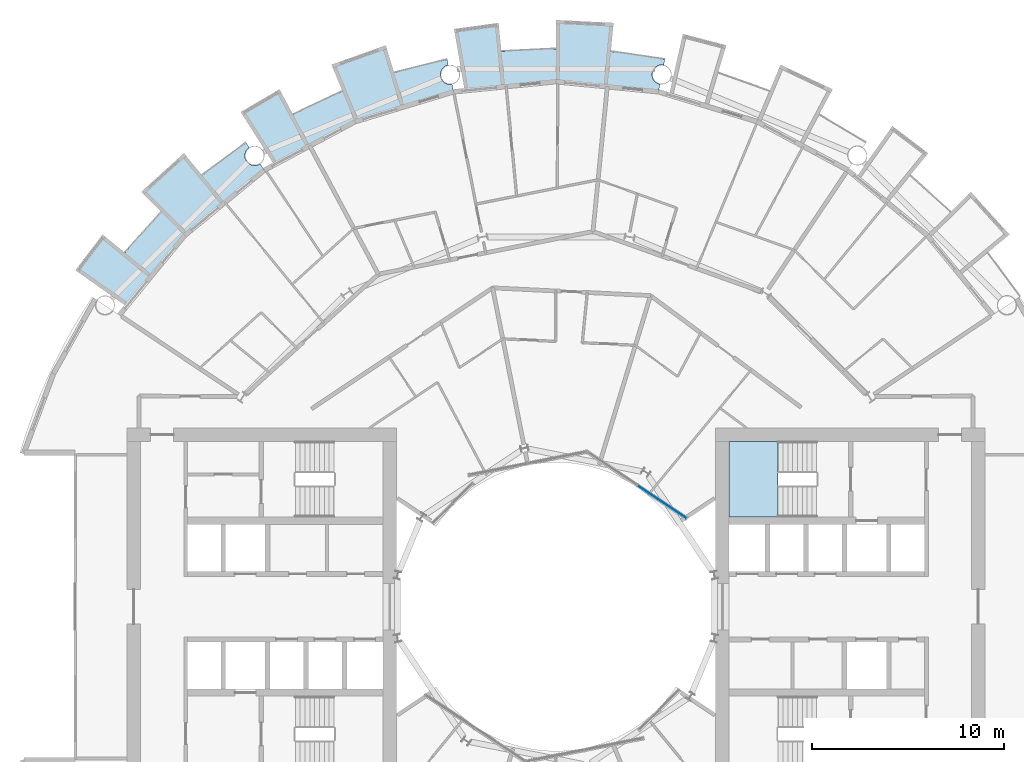
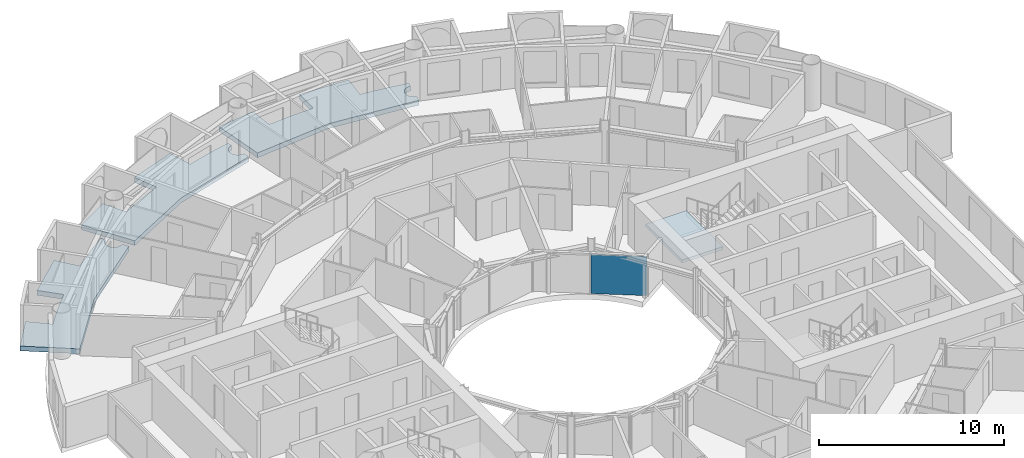
# One storey, part 11 of 26: 4 slabs, 1 plate, 2 elements without a shape of their own.
"""IFC4 building model written with IfcOpenShell, lengths in metres."""

from ifc_helpers import new_model, si_unit, direction, frame, origin, origin_2d, place, context, subcontext, project, spatial, polyline, rectangle, outline, extrude, material, layer, layer_set, type_object, element, aggregate, save


model = new_model("IFC4")

# Units and contexts
model_context = context("Model", 3, precision=1e-05, world=origin(), true_north=direction((0.0, 1.0)))
body_context = subcontext(model_context, "Body", "Model", "MODEL_VIEW")
ifc_project = project(units=[si_unit("LENGTHUNIT", "METRE"), si_unit("AREAUNIT", "SQUARE_METRE"), si_unit("VOLUMEUNIT", "CUBIC_METRE"), si_unit("PLANEANGLEUNIT", "RADIAN"), si_unit("MASSUNIT", "GRAM", prefix="KILO")], contexts=[model_context])

# Site, building, storey
site_placement = place(None, origin())
site = spatial("IfcSite", under=ifc_project, at=site_placement, CompositionType="ELEMENT")
building_placement = place(site_placement, origin())
building = spatial("IfcBuilding", under=site, at=building_placement, Name="Maasbend Ring Residences", CompositionType="ELEMENT")
storey_placement = place(building_placement, frame((0.0, 0.0, 63.60009765625)))
storey = spatial("IfcBuildingStorey", under=building, at=storey_placement, Name="L17", CompositionType="ELEMENT", Elevation=63.60009765625)

# Stair, slab
ifc_material_1 = material(Name="Concrete C40/50", Category="concrete")
stair_type = type_object("IfcStairType", Name="CORE STAIR 18 RISERS", PredefinedType="HALF_TURN_STAIR", material=ifc_material_1)
stair_placement = place(storey_placement, origin())
stair = element("IfcStair", 1, at=stair_placement, inside=storey, type_object=stair_type, Name="L17 Exit stair ST-E1", PredefinedType="HALF_TURN_STAIR")
ifc_material_2 = material(Name="Concrete C40/50", Category="concrete")
ifc_layer_1 = layer(ifc_material_2, 0.199951171875)
ifc_layer_set_1 = layer_set([ifc_layer_1], Name="Concrete C40/50")
slab_type_1 = type_object("IfcSlabType", Name="CORE STAIR LANDING 200", PredefinedType="LANDING", material=ifc_layer_set_1)
slab_1_placement = place(storey_placement, frame((0.0, 0.0, 1.324951171875)))
slab_1 = element("IfcSlab", 2, at=slab_1_placement, type_object=slab_type_1, Name="ST-E1 landing 1", PredefinedType="LANDING", context=body_context, shape_type="SweptSolid", body=[
    extrude(outline(polyline([(11.550048828125, 8.60009765625), (9.0, 8.60009765625), (9.0, 4.64990234375), (11.550048828125, 4.64990234375), (11.550048828125, 8.60009765625)])), origin(), (0.0, 0.0, 1.0), 0.199951171875),
])
aggregate(stair, [slab_1])

# Curtain wall, plate
ifc_material_3 = material(Name="Aluminium and clear glass", Category="aluminium")
ifc_layer_2 = layer(ifc_material_3, 0.179931640625)
ifc_layer_set_2 = layer_set([ifc_layer_2], Name="CW-W")
curtain_wall_type = type_object("IfcCurtainWallType", Name="CW-W", PredefinedType="NOTDEFINED", material=ifc_layer_set_2)
curtain_wall_placement = place(storey_placement, origin())
curtain_wall = element("IfcCurtainWall", 3, at=curtain_wall_placement, inside=storey, type_object=curtain_wall_type, Name="Well curtain wall N1", PredefinedType="NOTDEFINED")
ifc_material_4 = material(Name="Glass clear laminated", Category="glass")
ifc_layer_3 = layer(ifc_material_4, 0.031982421875)
ifc_layer_set_3 = layer_set([ifc_layer_3], Name="CWP-W")
plate_type = type_object("IfcPlateType", Name="CWP-W", PredefinedType="CURTAIN_PANEL", material=ifc_layer_set_3)
plate_placement = place(storey_placement, frame((5.51123046875, 5.44580078125, -0.000244140625), z_axis=(0.0, 0.0, 1.0), x_axis=(-0.831469612303, 0.55557023302, 0.0)))
plate = element("IfcPlate", 4, at=plate_placement, type_object=plate_type, Name="Glass panel well face", PredefinedType="CURTAIN_PANEL", context=body_context, shape_type="SweptSolid", body=[
    extrude(rectangle(XDim=3.053955078125, YDim=0.031982421875, at=origin_2d()), origin(), (0.0, 0.0, 1.0), 2.580078125),
])
aggregate(curtain_wall, [plate])

# Slabs
ifc_material_5 = material(Name="Concrete C40/50", Category="concrete")
ifc_layer_4 = layer(ifc_material_5, 0.199951171875)
ifc_layer_set_4 = layer_set([ifc_layer_4], Name="Concrete C40/50")
slab_type_2 = type_object("IfcSlabType", Name="SL-LOGGIA", PredefinedType="FLOOR", material=ifc_layer_set_4)
slab_2_placement = place(storey_placement, frame((0.0, 0.0, -0.35009765625)))
element("IfcSlab", 5, at=slab_2_placement, inside=storey, type_object=slab_type_2, Name="Loggia floor 2", PredefinedType="FLOOR", context=body_context, shape_type="SweptSolid", body=[
    extrude(outline(polyline([(-13.6708984375, 25.575927734375), (-13.6708984375, 25.575927734375), (-13.6708984375, 25.575927734375), (-13.6708984375, 25.575927734375), (-13.6708984375, 25.575927734375), (-13.6708984375, 25.575927734375), (-13.6708984375, 25.575927734375), (-13.669921875, 25.575927734375), (-13.669921875, 25.575927734375), (-13.669921875, 25.575927734375), (-13.669921875, 25.575927734375), (-13.669921875, 25.575927734375), (-13.669921875, 25.575927734375), (-13.669921875, 25.575927734375), (-13.669921875, 25.575927734375), (-13.669921875, 25.575927734375), (-13.669921875, 25.575927734375), (-12.825927734375, 26.009033203125), (-12.825927734375, 26.009033203125), (-11.968994140625, 26.4150390625), (-11.968994140625, 26.4150390625), (-11.097900390625, 26.7919921875), (-11.097900390625, 26.7919921875), (-11.097900390625, 26.7919921875), (-11.097900390625, 26.7919921875), (-11.097900390625, 26.7919921875), (-11.097900390625, 26.7919921875), (-11.097900390625, 26.7919921875), (-11.097900390625, 26.79296875), (-11.097900390625, 26.79296875), (-11.097900390625, 26.79296875), (-11.097900390625, 26.79296875), (-11.097900390625, 26.79296875), (-11.097900390625, 26.79296875), (-11.097900390625, 26.79296875), (-11.097900390625, 26.79296875), (-11.097900390625, 26.79296875), (-11.097900390625, 26.79296875), (-11.672119140625, 28.177978515625), (-11.672119140625, 28.177978515625), (-11.672119140625, 28.177978515625), (-8.85400390625, 29.18701171875), (-8.85400390625, 29.18701171875), (-8.85400390625, 29.18701171875), (-8.41796875, 27.751953125), (-8.41796875, 27.751953125), (-8.41796875, 27.751953125), (-8.41796875, 27.751953125), (-8.41796875, 27.751953125), (-8.41796875, 27.751953125), (-8.41796875, 27.751953125), (-8.41796875, 27.7509765625), (-8.41796875, 27.7509765625), (-8.41796875, 27.7509765625), (-8.41796875, 27.7509765625), (-8.41796875, 27.7509765625), (-8.41796875, 27.7509765625), (-8.41796875, 27.7509765625), (-8.41796875, 27.7509765625), (-8.41796875, 27.7509765625), (-8.41796875, 27.7509765625), (-7.506103515625, 28.011962890625), (-7.506103515625, 28.011962890625), (-6.5849609375, 28.241943359375), (-6.5849609375, 28.241943359375), (-5.657958984375, 28.443115234375), (-5.657958984375, 28.443115234375), (-5.657958984375, 28.443115234375), (-5.60107421875, 28.156005859375), (-5.613037109375, 28.154052734375), (-5.625, 28.15087890625), (-5.636962890625, 28.14794921875), (-5.64892578125, 28.14404296875), (-5.660888671875, 28.139892578125), (-5.673095703125, 28.135986328125), (-5.68408203125, 28.132080078125), (-5.696044921875, 28.126953125), (-5.70703125, 28.123046875), (-5.718994140625, 28.116943359375), (-5.72998046875, 28.112060546875), (-5.740966796875, 28.10595703125), (-5.751953125, 28.10009765625), (-5.762939453125, 28.093994140625), (-5.77294921875, 28.0869140625), (-5.783935546875, 28.080078125), (-5.7939453125, 28.072998046875), (-5.803955078125, 28.06591796875), (-5.81396484375, 28.05908203125), (-5.823974609375, 28.051025390625), (-5.8330078125, 28.04296875), (-5.843017578125, 28.034912109375), (-5.85205078125, 28.02587890625), (-5.861083984375, 28.01708984375), (-5.868896484375, 28.008056640625), (-5.8779296875, 27.9990234375), (-5.885986328125, 27.989990234375), (-5.89404296875, 27.97998046875), (-5.902099609375, 27.970947265625), (-5.909912109375, 27.9609375), (-5.9169921875, 27.950927734375), (-5.924072265625, 27.93994140625), (-5.930908203125, 27.929931640625), (-5.93701171875, 27.9189453125), (-5.944091796875, 27.907958984375), (-5.949951171875, 27.89794921875), (-5.955078125, 27.886962890625), (-5.9609375, 27.875), (-5.966064453125, 27.864013671875), (-5.970947265625, 27.85302734375), (-5.97509765625, 27.841064453125), (-5.97998046875, 27.8291015625), (-5.98388671875, 27.81689453125), (-5.988037109375, 27.805908203125), (-5.990966796875, 27.7939453125), (-5.993896484375, 27.781982421875), (-5.9970703125, 27.76904296875), (-6.0, 27.757080078125), (-6.001953125, 27.7451171875), (-6.00390625, 27.73291015625), (-6.006103515625, 27.719970703125), (-6.007080078125, 27.7080078125), (-6.008056640625, 27.695068359375), (-6.009033203125, 27.68310546875), (-6.009033203125, 27.6708984375), (-6.010009765625, 27.657958984375), (-6.009033203125, 27.64599609375), (-6.009033203125, 27.633056640625), (-6.008056640625, 27.62109375), (-6.007080078125, 27.60791015625), (-6.006103515625, 27.595947265625), (-6.00390625, 27.583984375), (-6.001953125, 27.571044921875), (-6.0, 27.55908203125), (-5.9970703125, 27.547119140625), (-5.993896484375, 27.534912109375), (-5.990966796875, 27.52294921875), (-5.988037109375, 27.510986328125), (-5.98388671875, 27.4990234375), (-5.97998046875, 27.487060546875), (-5.97509765625, 27.47509765625), (-5.970947265625, 27.464111328125), (-5.966064453125, 27.451904296875), (-5.9609375, 27.44091796875), (-5.955078125, 27.429931640625), (-5.949951171875, 27.4189453125), (-5.944091796875, 27.407958984375), (-5.93701171875, 27.39697265625), (-5.930908203125, 27.385986328125), (-5.924072265625, 27.3759765625), (-5.9169921875, 27.365966796875), (-5.909912109375, 27.35498046875), (-5.902099609375, 27.345947265625), (-5.89404296875, 27.3359375), (-5.885986328125, 27.325927734375), (-5.8779296875, 27.31689453125), (-5.868896484375, 27.30810546875), (-5.861083984375, 27.299072265625), (-5.85205078125, 27.2900390625), (-5.843017578125, 27.281982421875), (-5.8330078125, 27.27294921875), (-5.823974609375, 27.264892578125), (-5.81396484375, 27.258056640625), (-5.803955078125, 27.25), (-5.7939453125, 27.242919921875), (-5.783935546875, 27.236083984375), (-5.77294921875, 27.22900390625), (-5.762939453125, 27.221923828125), (-5.751953125, 27.216064453125), (-5.740966796875, 27.2099609375), (-5.72998046875, 27.2041015625), (-5.718994140625, 27.198974609375), (-5.70703125, 27.194091796875), (-5.696044921875, 27.18896484375), (-5.68408203125, 27.18408203125), (-5.673095703125, 27.179931640625), (-5.660888671875, 27.176025390625), (-5.64892578125, 27.172119140625), (-5.636962890625, 27.1689453125), (-5.625, 27.1650390625), (-5.613037109375, 27.162109375), (-5.60107421875, 27.159912109375), (-5.587890625, 27.157958984375), (-5.575927734375, 27.156005859375), (-5.56396484375, 27.154052734375), (-5.551025390625, 27.153076171875), (-5.5390625, 27.15087890625), (-5.52587890625, 27.15087890625), (-5.513916015625, 27.14990234375), (-5.501953125, 27.14990234375), (-5.489013671875, 27.14990234375), (-5.47705078125, 27.15087890625), (-5.464111328125, 27.15087890625), (-5.451904296875, 27.153076171875), (-5.43896484375, 27.154052734375), (-5.427001953125, 27.156005859375), (-5.4150390625, 27.157958984375), (-5.402099609375, 27.159912109375), (-5.325927734375, 26.77490234375), (-5.325927734375, 26.77490234375), (-5.325927734375, 26.77490234375), (-7.886962890625, 25.9990234375), (-10.447021484375, 25.221923828125), (-10.447021484375, 25.221923828125), (-10.447021484375, 25.221923828125), (-12.806884765625, 23.9609375), (-14.64599609375, 22.97705078125), (-14.64599609375, 22.97705078125), (-14.64599609375, 22.97705078125), (-16.39404296875, 25.718994140625), (-16.39404296875, 25.718994140625), (-16.39404296875, 25.718994140625), (-14.3779296875, 26.89892578125), (-14.3779296875, 26.89892578125), (-14.3779296875, 26.89892578125), (-13.6708984375, 25.575927734375)])), origin(), (0.0, 0.0, 1.0), 0.320068359375),
])
slab_3_placement = place(storey_placement, frame((0.0, 0.0, -0.35009765625)))
element("IfcSlab", 6, at=slab_3_placement, inside=storey, type_object=slab_type_2, Name="Loggia floor 3", PredefinedType="FLOOR", context=body_context, shape_type="SweptSolid", body=[
    extrude(outline(polyline([(-2.843017578125, 28.861083984375), (-2.843017578125, 28.861083984375), (-2.843017578125, 28.861083984375), (-2.843017578125, 28.861083984375), (-2.842041015625, 28.861083984375), (-2.842041015625, 28.861083984375), (-2.842041015625, 28.861083984375), (-2.842041015625, 28.861083984375), (-2.842041015625, 28.861083984375), (-2.842041015625, 28.860107421875), (-2.842041015625, 28.860107421875), (-2.842041015625, 28.860107421875), (-2.842041015625, 28.860107421875), (-2.842041015625, 28.860107421875), (-2.842041015625, 28.860107421875), (-2.842041015625, 28.860107421875), (-2.842041015625, 28.860107421875), (-1.89697265625, 28.93798828125), (-1.89697265625, 28.93798828125), (-0.948974609375, 28.98388671875), (-0.948974609375, 28.98388671875), (0.0, 29.0), (0.0, 29.0), (0.0, 29.0), (0.0, 29.0), (0.0, 29.0), (0.0, 29.0), (0.0, 29.0), (0.0, 29.0), (0.0, 29.0), (0.0, 29.0), (0.0, 29.0), (0.0, 29.0), (0.0, 29.0), (0.0, 29.0), (0.0, 29.0), (0.0, 29.0), (0.0, 29.0), (0.0, 30.5), (0.0, 30.5), (0.0, 30.5), (2.989990234375, 30.35302734375), (2.989990234375, 30.35302734375), (2.989990234375, 30.35302734375), (2.843017578125, 28.861083984375), (2.843017578125, 28.861083984375), (2.843017578125, 28.861083984375), (2.843017578125, 28.861083984375), (2.843017578125, 28.861083984375), (2.843017578125, 28.861083984375), (2.843017578125, 28.861083984375), (2.843017578125, 28.861083984375), (2.843017578125, 28.860107421875), (2.843017578125, 28.860107421875), (2.843017578125, 28.860107421875), (2.843017578125, 28.860107421875), (2.843017578125, 28.860107421875), (2.843017578125, 28.860107421875), (2.843017578125, 28.860107421875), (2.843017578125, 28.860107421875), (2.843017578125, 28.860107421875), (3.784912109375, 28.751953125), (3.784912109375, 28.751953125), (4.72412109375, 28.613037109375), (4.72412109375, 28.613037109375), (5.657958984375, 28.443115234375), (5.657958984375, 28.443115234375), (5.657958984375, 28.443115234375), (5.60107421875, 28.156005859375), (5.60107421875, 28.156005859375), (5.587890625, 28.158935546875), (5.575927734375, 28.160888671875), (5.56396484375, 28.162109375), (5.551025390625, 28.1640625), (5.5390625, 28.1650390625), (5.52587890625, 28.1650390625), (5.513916015625, 28.166015625), (5.501953125, 28.166015625), (5.489013671875, 28.166015625), (5.47705078125, 28.1650390625), (5.464111328125, 28.1650390625), (5.451904296875, 28.1640625), (5.43896484375, 28.162109375), (5.427001953125, 28.160888671875), (5.4150390625, 28.158935546875), (5.402099609375, 28.156005859375), (5.389892578125, 28.154052734375), (5.3779296875, 28.15087890625), (5.365966796875, 28.14794921875), (5.35400390625, 28.14404296875), (5.342041015625, 28.139892578125), (5.330078125, 28.135986328125), (5.319091796875, 28.132080078125), (5.306884765625, 28.126953125), (5.2958984375, 28.123046875), (5.283935546875, 28.116943359375), (5.27294921875, 28.112060546875), (5.261962890625, 28.10595703125), (5.2509765625, 28.10009765625), (5.239990234375, 28.093994140625), (5.22998046875, 28.0869140625), (5.218994140625, 28.080078125), (5.208984375, 28.072998046875), (5.198974609375, 28.06591796875), (5.18896484375, 28.05908203125), (5.178955078125, 28.051025390625), (5.169921875, 28.04296875), (5.159912109375, 28.034912109375), (5.15087890625, 28.02587890625), (5.14208984375, 28.01708984375), (5.134033203125, 28.008056640625), (5.125, 27.9990234375), (5.116943359375, 27.989990234375), (5.10888671875, 27.97998046875), (5.10107421875, 27.970947265625), (5.093017578125, 27.9609375), (5.0859375, 27.950927734375), (5.0791015625, 27.93994140625), (5.072021484375, 27.929931640625), (5.06591796875, 27.9189453125), (5.05908203125, 27.907958984375), (5.052978515625, 27.89794921875), (5.048095703125, 27.886962890625), (5.0419921875, 27.875), (5.037109375, 27.864013671875), (5.031982421875, 27.85302734375), (5.028076171875, 27.841064453125), (5.02294921875, 27.8291015625), (5.01904296875, 27.81689453125), (5.014892578125, 27.805908203125), (5.011962890625, 27.7939453125), (5.009033203125, 27.781982421875), (5.006103515625, 27.76904296875), (5.0029296875, 27.757080078125), (5.0009765625, 27.7451171875), (4.9990234375, 27.73291015625), (4.9970703125, 27.719970703125), (4.99609375, 27.7080078125), (4.9951171875, 27.695068359375), (4.993896484375, 27.68310546875), (4.993896484375, 27.6708984375), (4.993896484375, 27.657958984375), (4.993896484375, 27.64599609375), (4.993896484375, 27.633056640625), (4.9951171875, 27.62109375), (4.99609375, 27.60791015625), (4.9970703125, 27.595947265625), (4.9990234375, 27.583984375), (5.0009765625, 27.571044921875), (5.0029296875, 27.55908203125), (5.006103515625, 27.547119140625), (5.009033203125, 27.534912109375), (5.011962890625, 27.52294921875), (5.014892578125, 27.510986328125), (5.01904296875, 27.4990234375), (5.02294921875, 27.487060546875), (5.028076171875, 27.47509765625), (5.031982421875, 27.464111328125), (5.037109375, 27.451904296875), (5.0419921875, 27.44091796875), (5.048095703125, 27.429931640625), (5.052978515625, 27.4189453125), (5.05908203125, 27.407958984375), (5.06591796875, 27.39697265625), (5.072021484375, 27.385986328125), (5.0791015625, 27.3759765625), (5.0859375, 27.365966796875), (5.093017578125, 27.35498046875), (5.10107421875, 27.345947265625), (5.10888671875, 27.3359375), (5.116943359375, 27.325927734375), (5.125, 27.31689453125), (5.134033203125, 27.30810546875), (5.14208984375, 27.299072265625), (5.15087890625, 27.2900390625), (5.159912109375, 27.281982421875), (5.169921875, 27.27294921875), (5.178955078125, 27.264892578125), (5.18896484375, 27.258056640625), (5.198974609375, 27.25), (5.208984375, 27.242919921875), (5.218994140625, 27.236083984375), (5.22998046875, 27.22900390625), (5.239990234375, 27.221923828125), (5.2509765625, 27.216064453125), (5.261962890625, 27.2099609375), (5.27294921875, 27.2041015625), (5.283935546875, 27.198974609375), (5.2958984375, 27.194091796875), (5.306884765625, 27.18896484375), (5.319091796875, 27.18408203125), (5.330078125, 27.179931640625), (5.342041015625, 27.176025390625), (5.35400390625, 27.172119140625), (5.365966796875, 27.1689453125), (5.3779296875, 27.1650390625), (5.389892578125, 27.162109375), (5.402099609375, 27.159912109375), (5.402099609375, 27.159912109375), (5.325927734375, 26.77490234375), (5.325927734375, 26.77490234375), (5.325927734375, 26.77490234375), (2.6630859375, 27.0380859375), (0.0, 27.300048828125), (0.0, 27.300048828125), (0.0, 27.300048828125), (-2.6630859375, 27.0380859375), (-4.739013671875, 26.8330078125), (-4.739013671875, 26.8330078125), (-4.739013671875, 26.8330078125), (-5.303955078125, 30.034912109375), (-5.303955078125, 30.034912109375), (-5.303955078125, 30.034912109375), (-2.989990234375, 30.35302734375), (-2.989990234375, 30.35302734375), (-2.989990234375, 30.35302734375), (-2.843017578125, 28.861083984375)])), origin(), (0.0, 0.0, 1.0), 0.320068359375),
])
slab_4_placement = place(storey_placement, frame((0.0, 0.0, -0.35009765625)))
element("IfcSlab", 7, at=slab_4_placement, inside=storey, type_object=slab_type_2, Name="Loggia floor 5", PredefinedType="FLOOR", context=body_context, shape_type="SweptSolid", body=[
    extrude(outline(polyline([(-22.41796875, 18.39794921875), (-22.41796875, 18.39794921875), (-22.41796875, 18.39794921875), (-22.41796875, 18.39794921875), (-22.41796875, 18.39794921875), (-22.4169921875, 18.39794921875), (-22.4169921875, 18.39794921875), (-22.4169921875, 18.39794921875), (-22.4169921875, 18.39794921875), (-22.4169921875, 18.39794921875), (-22.4169921875, 18.39794921875), (-22.4169921875, 18.39794921875), (-22.4169921875, 18.39794921875), (-22.4169921875, 18.39794921875), (-22.4169921875, 18.39794921875), (-22.4169921875, 18.39794921875), (-22.4169921875, 18.39794921875), (-21.802978515625, 19.12109375), (-21.802978515625, 19.12109375), (-21.166015625, 19.823974609375), (-21.166015625, 19.823974609375), (-20.506103515625, 20.506103515625), (-20.506103515625, 20.506103515625), (-20.506103515625, 20.506103515625), (-20.506103515625, 20.506103515625), (-20.506103515625, 20.506103515625), (-20.506103515625, 20.506103515625), (-20.506103515625, 20.506103515625), (-20.506103515625, 20.506103515625), (-20.506103515625, 20.506103515625), (-20.506103515625, 20.506103515625), (-20.506103515625, 20.506103515625), (-20.506103515625, 20.506103515625), (-20.506103515625, 20.506103515625), (-20.506103515625, 20.506103515625), (-20.506103515625, 20.506103515625), (-20.506103515625, 20.506103515625), (-20.506103515625, 20.506103515625), (-21.56689453125, 21.56689453125), (-21.56689453125, 21.56689453125), (-21.56689453125, 21.56689453125), (-19.34912109375, 23.576904296875), (-19.34912109375, 23.576904296875), (-19.34912109375, 23.576904296875), (-18.39794921875, 22.41796875), (-18.39794921875, 22.41796875), (-18.39794921875, 22.41796875), (-18.39794921875, 22.41796875), (-18.39794921875, 22.41796875), (-18.39794921875, 22.41796875), (-18.39697265625, 22.41796875), (-18.39697265625, 22.41796875), (-18.39697265625, 22.41796875), (-18.39697265625, 22.41796875), (-18.39697265625, 22.41796875), (-18.39697265625, 22.41796875), (-18.39697265625, 22.41796875), (-18.39697265625, 22.41796875), (-18.39697265625, 22.41796875), (-18.39697265625, 22.41796875), (-18.39697265625, 22.41796875), (-17.654052734375, 23.007080078125), (-17.654052734375, 23.007080078125), (-16.89208984375, 23.572998046875), (-16.89208984375, 23.572998046875), (-16.112060546875, 24.113037109375), (-16.112060546875, 24.113037109375), (-16.112060546875, 24.113037109375), (-15.948974609375, 23.8701171875), (-15.948974609375, 23.8701171875), (-15.9599609375, 23.863037109375), (-15.969970703125, 23.85498046875), (-15.97998046875, 23.847900390625), (-15.989013671875, 23.840087890625), (-15.9990234375, 23.83203125), (-16.008056640625, 23.823974609375), (-16.01708984375, 23.81494140625), (-16.02587890625, 23.806884765625), (-16.034912109375, 23.798095703125), (-16.0439453125, 23.7890625), (-16.052001953125, 23.779052734375), (-16.06005859375, 23.77001953125), (-16.068115234375, 23.760009765625), (-16.074951171875, 23.75), (-16.08203125, 23.739990234375), (-16.089111328125, 23.72998046875), (-16.095947265625, 23.718994140625), (-16.10302734375, 23.708984375), (-16.10888671875, 23.697998046875), (-16.114990234375, 23.68701171875), (-16.12109375, 23.676025390625), (-16.1259765625, 23.6650390625), (-16.132080078125, 23.653076171875), (-16.135986328125, 23.64208984375), (-16.14111328125, 23.6298828125), (-16.14501953125, 23.618896484375), (-16.14892578125, 23.60693359375), (-16.153076171875, 23.594970703125), (-16.156982421875, 23.5830078125), (-16.159912109375, 23.571044921875), (-16.1630859375, 23.55908203125), (-16.1650390625, 23.547119140625), (-16.16796875, 23.533935546875), (-16.169921875, 23.52197265625), (-16.1708984375, 23.510009765625), (-16.173095703125, 23.4970703125), (-16.174072265625, 23.485107421875), (-16.174072265625, 23.471923828125), (-16.175048828125, 23.4599609375), (-16.175048828125, 23.447021484375), (-16.175048828125, 23.43505859375), (-16.174072265625, 23.422119140625), (-16.174072265625, 23.409912109375), (-16.173095703125, 23.39794921875), (-16.1708984375, 23.385009765625), (-16.169921875, 23.373046875), (-16.16796875, 23.361083984375), (-16.1650390625, 23.347900390625), (-16.1630859375, 23.3359375), (-16.159912109375, 23.323974609375), (-16.156982421875, 23.31201171875), (-16.153076171875, 23.300048828125), (-16.14892578125, 23.2880859375), (-16.14501953125, 23.27587890625), (-16.14111328125, 23.264892578125), (-16.135986328125, 23.2529296875), (-16.132080078125, 23.241943359375), (-16.1259765625, 23.22998046875), (-16.12109375, 23.218994140625), (-16.114990234375, 23.2080078125), (-16.10888671875, 23.197021484375), (-16.10302734375, 23.18603515625), (-16.095947265625, 23.176025390625), (-16.089111328125, 23.1650390625), (-16.08203125, 23.155029296875), (-16.074951171875, 23.14501953125), (-16.068115234375, 23.135009765625), (-16.06005859375, 23.125), (-16.052001953125, 23.115966796875), (-16.0439453125, 23.10595703125), (-16.034912109375, 23.096923828125), (-16.02587890625, 23.087890625), (-16.01708984375, 23.0791015625), (-16.008056640625, 23.071044921875), (-15.9990234375, 23.06298828125), (-15.989013671875, 23.054931640625), (-15.97998046875, 23.047119140625), (-15.969970703125, 23.0390625), (-15.9599609375, 23.031982421875), (-15.948974609375, 23.02490234375), (-15.93896484375, 23.01806640625), (-15.927978515625, 23.011962890625), (-15.9169921875, 23.0048828125), (-15.906982421875, 22.9990234375), (-15.89599609375, 22.993896484375), (-15.884033203125, 22.988037109375), (-15.873046875, 22.98291015625), (-15.862060546875, 22.97802734375), (-15.85009765625, 22.972900390625), (-15.837890625, 22.968994140625), (-15.825927734375, 22.965087890625), (-15.81494140625, 22.9609375), (-15.802978515625, 22.9580078125), (-15.791015625, 22.955078125), (-15.778076171875, 22.951904296875), (-15.76611328125, 22.948974609375), (-15.75390625, 22.947021484375), (-15.741943359375, 22.945068359375), (-15.72900390625, 22.943115234375), (-15.717041015625, 22.94189453125), (-15.7041015625, 22.94091796875), (-15.69189453125, 22.93994140625), (-15.679931640625, 22.93994140625), (-15.6669921875, 22.93896484375), (-15.655029296875, 22.93994140625), (-15.64208984375, 22.93994140625), (-15.6298828125, 22.94091796875), (-15.616943359375, 22.94189453125), (-15.60498046875, 22.943115234375), (-15.593017578125, 22.945068359375), (-15.580078125, 22.947021484375), (-15.568115234375, 22.948974609375), (-15.555908203125, 22.951904296875), (-15.5439453125, 22.955078125), (-15.531982421875, 22.9580078125), (-15.52001953125, 22.9609375), (-15.508056640625, 22.965087890625), (-15.49609375, 22.968994140625), (-15.48388671875, 22.972900390625), (-15.472900390625, 22.97802734375), (-15.4609375, 22.98291015625), (-15.449951171875, 22.988037109375), (-15.43896484375, 22.993896484375), (-15.427978515625, 22.9990234375), (-15.4169921875, 23.0048828125), (-15.406005859375, 23.011962890625), (-15.39501953125, 23.01806640625), (-15.385009765625, 23.02490234375), (-15.385009765625, 23.02490234375), (-15.1669921875, 22.698974609375), (-15.1669921875, 22.698974609375), (-15.1669921875, 22.698974609375), (-17.236083984375, 21.001953125), (-19.303955078125, 19.303955078125), (-19.303955078125, 19.303955078125), (-19.303955078125, 19.303955078125), (-21.001953125, 17.236083984375), (-22.324951171875, 15.623046875), (-22.324951171875, 15.623046875), (-22.324951171875, 15.623046875), (-24.989013671875, 17.488037109375), (-24.989013671875, 17.488037109375), (-24.989013671875, 17.488037109375), (-23.576904296875, 19.34912109375), (-23.576904296875, 19.34912109375), (-23.576904296875, 19.34912109375), (-22.41796875, 18.39794921875)])), origin(), (0.0, 0.0, 1.0), 0.320068359375),
])

save(model, "model.ifc")
